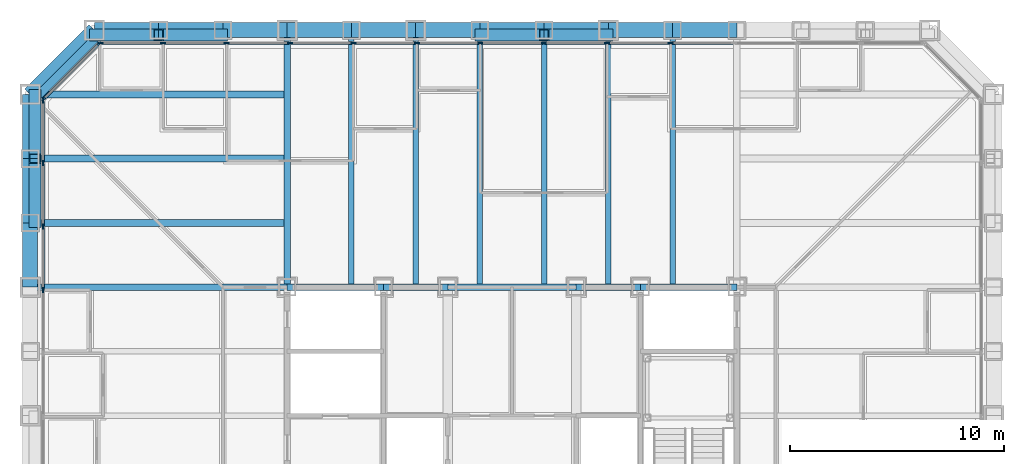
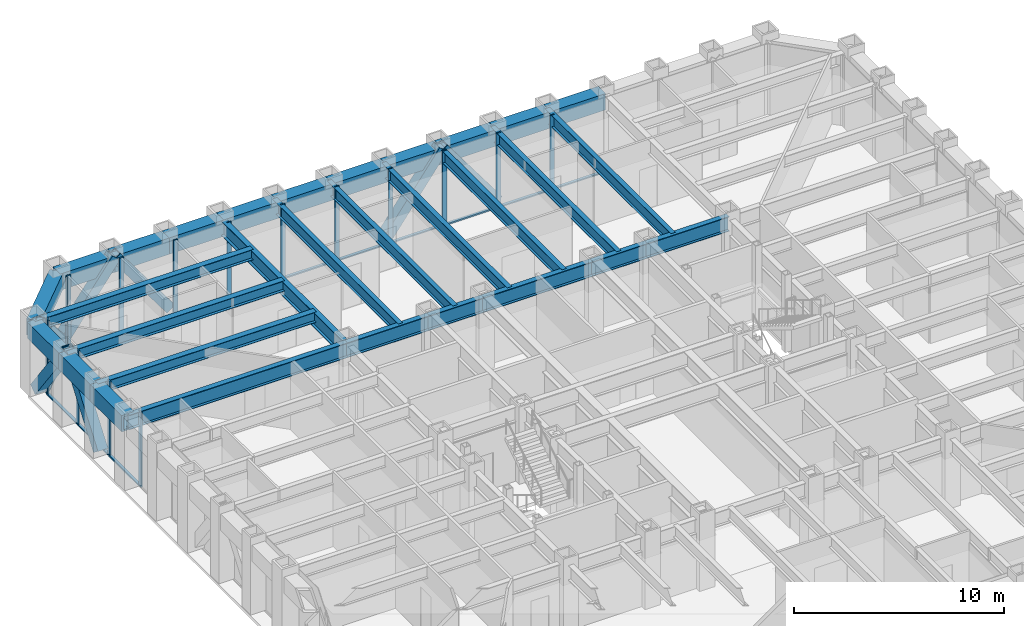
# One storey, part 5 of 17: 37 members, 30 beams, 3 elements without a shape of their own.
"""IFC4 building model written with IfcOpenShell, lengths in metres."""

import ifcopenshell
import ifcopenshell.guid

model = None  # the IFC model being written
_history = None  # IfcOwnerHistory: only IFC2X3 demands one
_inside = {}  # id of a spatial element -> (the spatial element, [elements in it])
_under = {}  # id of a project, library or spatial element -> (it, [spatial elements below it])
_declared = {}  # id of a project -> (the project, [libraries it declares])
_typed = {}  # id of a type object -> (the type object, [elements of that type])
_made_of = {}  # id of a material, layer set ... -> (it, [elements and type objects made of it])


def new_model(schema):
    """Start an empty IFC model of exactly this schema.

    Asked for "IFC4X3", IfcOpenShell would pick the latest addendum, in which some entities
    have other attributes; the version numbers below select the first issue.
    IFC2X3 requires an IfcOwnerHistory on every rooted entity: one is made here for all.
    """
    global model, _history
    if schema == "IFC4X3":
        model = ifcopenshell.file(schema_version=(4, 3, 0, 0))
    else:
        model = ifcopenshell.file(schema=schema)
    _inside.clear()
    _under.clear()
    _declared.clear()
    _typed.clear()
    _made_of.clear()
    _history = None
    if model.schema == "IFC2X3":
        org = make("IfcOrganization", Name="unknown")
        user = make(
            "IfcPersonAndOrganization",
            ThePerson=make("IfcPerson", FamilyName="unknown"),
            TheOrganization=org,
        )
        app = make(
            "IfcApplication",
            ApplicationDeveloper=org,
            Version="unknown",
            ApplicationFullName="unknown",
            ApplicationIdentifier="unknown",
        )
        _history = make(
            "IfcOwnerHistory",
            OwningUser=user,
            OwningApplication=app,
            ChangeAction="ADDED",
            CreationDate=0,
        )
    return model


def make(cls, **values):
    """One entity of the class cls with the attributes given. An attribute that is None is left unset."""
    return model.create_entity(
        cls, **{name: value for name, value in values.items() if value is not None}
    )


def rooted(cls, **values):
    """An entity with a GlobalId (a new one), such as an element, a storey or a relation."""
    return make(cls, GlobalId=ifcopenshell.guid.new(), OwnerHistory=_history, **values)


def si_unit(unit_type, name, prefix=None):
    """IfcSIUnit, for example si_unit("LENGTHUNIT", "METRE", prefix="MILLI")."""
    return make("IfcSIUnit", UnitType=unit_type, Prefix=prefix, Name=name)


def assignment(units):
    """IfcUnitAssignment: the units of a project."""
    return None if units is None else make("IfcUnitAssignment", Units=units)


def point(xyz):
    """IfcCartesianPoint."""
    return None if xyz is None else make("IfcCartesianPoint", Coordinates=xyz)


def direction(xyz):
    """IfcDirection."""
    return None if xyz is None else make("IfcDirection", DirectionRatios=xyz)


def frame(location, z_axis=None, x_axis=None):
    """IfcAxis2Placement3D, a coordinate frame: its origin and axes. An axis left out is left unset."""
    return make(
        "IfcAxis2Placement3D",
        Location=point(location),
        Axis=direction(z_axis),
        RefDirection=direction(x_axis),
    )


def frame_2d(location, x_axis=None):
    """IfcAxis2Placement2D, a coordinate frame in the plane: its origin and x axis."""
    return make(
        "IfcAxis2Placement2D", Location=point(location), RefDirection=direction(x_axis)
    )


def origin():
    """The frame at (0, 0, 0) with its axes left unset."""
    return frame((0.0, 0.0, 0.0))


def origin_2d():
    """The frame at (0, 0) in the plane with its x axis left unset."""
    return frame_2d((0.0, 0.0))


def place(relative_to, where):
    """IfcLocalPlacement: puts the frame where relative to a parent placement (None: the world)."""
    return make(
        "IfcLocalPlacement", PlacementRelTo=relative_to, RelativePlacement=where
    )


def context(
    kind, dimensions, precision=None, world=None, true_north=None, identifier=None
):
    """IfcGeometricRepresentationContext, for example the 3D "Model" context."""
    return make(
        "IfcGeometricRepresentationContext",
        ContextIdentifier=identifier,
        ContextType=kind,
        CoordinateSpaceDimension=dimensions,
        Precision=precision,
        WorldCoordinateSystem=world,
        TrueNorth=true_north,
    )


def subcontext(parent, identifier, kind, view, scale=None):
    """IfcGeometricRepresentationSubContext, for example "Body" below "Model"."""
    return make(
        "IfcGeometricRepresentationSubContext",
        ContextIdentifier=identifier,
        ContextType=kind,
        ParentContext=parent,
        TargetScale=scale,
        TargetView=view,
    )


def project(units=None, contexts=None):
    """IfcProject with its units and contexts."""
    return rooted(
        "IfcProject",
        Name="project",
        RepresentationContexts=contexts,
        UnitsInContext=assignment(units),
    )


def spatial(cls, under=None, at=None, **own):
    """A site, building, storey or space (cls), placed at a placement, below another one or the project."""
    s = rooted(cls, ObjectPlacement=at, **own)
    if under is not None:
        _under.setdefault(under.id(), (under, []))[1].append(s)
    return s


def profile(cls, at=None, kind="AREA", **sizes):
    """A parametric profile (cls). Its sizes go by their IFC names, for example OverallWidth=200.0."""
    return make(cls, ProfileType=kind, Position=at, **sizes)


def rectangle(**sizes):
    """IfcRectangleProfileDef."""
    return profile("IfcRectangleProfileDef", **sizes)


def hollow_rectangle(**sizes):
    """IfcRectangleHollowProfileDef."""
    return profile("IfcRectangleHollowProfileDef", **sizes)


def i_section(**sizes):
    """IfcIShapeProfileDef."""
    return profile("IfcIShapeProfileDef", **sizes)


def extrude(swept, where, along, depth):
    """IfcExtrudedAreaSolid: the profile swept, set in the frame where, extruded along a direction by depth."""
    return make(
        "IfcExtrudedAreaSolid",
        SweptArea=swept,
        Position=where,
        ExtrudedDirection=direction(along),
        Depth=depth,
    )


def shape(context_of_items, identifier, shape_type, items):
    """IfcShapeRepresentation: the items that make up one representation, for example the "Body"."""
    return make(
        "IfcShapeRepresentation",
        ContextOfItems=context_of_items,
        RepresentationIdentifier=identifier,
        RepresentationType=shape_type,
        Items=items,
    )


def material(Name=None, Category=None):
    """IfcMaterial."""
    return make("IfcMaterial", Name=Name, Category=Category)


def layer(
    of_material, thickness, ventilated=None, Name=None, Category=None, Priority=None
):
    """IfcMaterialLayer: one layer of a wall or slab, of a material (None: an air gap)."""
    return make(
        "IfcMaterialLayer",
        Material=of_material,
        LayerThickness=thickness,
        IsVentilated=ventilated,
        Name=Name,
        Category=Category,
        Priority=Priority,
    )


def layer_set(layers, Name=None):
    """IfcMaterialLayerSet."""
    return make("IfcMaterialLayerSet", MaterialLayers=layers, LayerSetName=Name)


def material_profile(
    of_material, cross_section, Name=None, Category=None, Priority=None
):
    """IfcMaterialProfile: a cross section and its material."""
    return make(
        "IfcMaterialProfile",
        Name=Name,
        Material=of_material,
        Profile=cross_section,
        Priority=Priority,
        Category=Category,
    )


def profile_set(profiles, Name=None, composite=None):
    """IfcMaterialProfileSet."""
    return make(
        "IfcMaterialProfileSet",
        Name=Name,
        MaterialProfiles=profiles,
        CompositeProfile=composite,
    )


def made_of(thing, what):
    """Note that an element or type object is made of a material, layer set ...; save() writes the relation."""
    if what is not None:
        _made_of.setdefault(what.id(), (what, []))[1].append(thing)
    return thing


def type_object(cls, material=None, **own):
    """A type object (cls), such as IfcWallType, which elements share."""
    return made_of(rooted(cls, **own), material)


def element(
    cls,
    number,
    at=None,
    inside=None,
    cuts=None,
    type_object=None,
    material=None,
    context=None,
    identifier="Body",
    shape_type=None,
    held_by="IfcProductDefinitionShape",
    body=None,
    shapes=None,
    **own,
):
    """One element of the class cls, such as IfcWall. Its Tag is "e" and its number.

    at: its placement. inside: the storey or other place that contains it. cuts: it is an
    opening in that element (IfcRelVoidsElement). A single representation is given by context,
    identifier, shape_type and body (its items); several are given by shapes. held_by: the class
    of the entity that holds the representations. save() writes the other relations.
    """
    e = rooted(cls, Tag="e%d" % number, ObjectPlacement=at, **own)
    if body is not None:
        shapes = [shape(context, identifier, shape_type, body)]
    if shapes is not None:
        e.Representation = make(held_by, Representations=shapes)
    if inside is not None:
        _inside.setdefault(inside.id(), (inside, []))[1].append(e)
    if cuts is not None:
        rooted(
            "IfcRelVoidsElement", RelatingBuildingElement=cuts, RelatedOpeningElement=e
        )
    if type_object is not None:
        _typed.setdefault(type_object.id(), (type_object, []))[1].append(e)
    return made_of(e, material)


def aggregate(whole, parts):
    """IfcRelAggregates: a whole, such as a stair, and the parts it consists of."""
    return rooted("IfcRelAggregates", RelatingObject=whole, RelatedObjects=parts)


def save(model, path):
    """Write the relations noted so far, then the file.

    IfcRelAggregates (storeys below a building ...), IfcRelContainedInSpatialStructure (elements
    in a storey), IfcRelDefinesByType, IfcRelAssociatesMaterial and IfcRelDeclares: one each for
    every whole, place, type object, material and project.
    """
    for whole, parts in _under.values():
        aggregate(whole, parts)
    for where, things in _inside.values():
        rooted(
            "IfcRelContainedInSpatialStructure",
            RelatedElements=things,
            RelatingStructure=where,
        )
    for kind, things in _typed.values():
        rooted("IfcRelDefinesByType", RelatedObjects=things, RelatingType=kind)
    for what, things in _made_of.values():
        rooted("IfcRelAssociatesMaterial", RelatedObjects=things, RelatingMaterial=what)
    for by, libraries in _declared.values():
        rooted("IfcRelDeclares", RelatingContext=by, RelatedDefinitions=libraries)
    model.write(path)


model = new_model("IFC4")

# Units and contexts
model_context = context("Model", 3, precision=1e-05, world=origin(), true_north=direction((0.0, 1.0)))
body_context = subcontext(model_context, "Body", "Model", "MODEL_VIEW")
ifc_project = project(units=[si_unit("LENGTHUNIT", "METRE"), si_unit("AREAUNIT", "SQUARE_METRE"), si_unit("VOLUMEUNIT", "CUBIC_METRE"), si_unit("PLANEANGLEUNIT", "RADIAN"), si_unit("MASSUNIT", "GRAM", prefix="KILO")], contexts=[model_context])

# Site, building, storey
site_placement = place(None, origin())
site = spatial("IfcSite", under=ifc_project, at=site_placement, CompositionType="ELEMENT")
building_placement = place(site_placement, origin())
building = spatial("IfcBuilding", under=site, at=building_placement, Name="Chuquiago Exchange Tower", CompositionType="ELEMENT")
storey_placement = place(building_placement, frame((0.0, 0.0, 87.300048828125)))
storey = spatial("IfcBuildingStorey", under=building, at=storey_placement, Name="L18", CompositionType="ELEMENT", Elevation=87.300048828125)

# Beams
ifc_material_1 = material(Name="Steel ASTM A992", Category="steel")
ifc_material_profile_1 = material_profile(ifc_material_1, i_section(OverallWidth=0.2919921875, OverallDepth=0.8583984375, WebThickness=0.01708984375, FlangeThickness=0.031005859375, at=origin_2d()), Name="W33X169")
ifc_profile_set_1 = profile_set([ifc_material_profile_1], Name="Steel ASTM A992")
beam_type_1 = type_object("IfcBeamType", Name="B3 W33X169", PredefinedType="BEAM", material=ifc_profile_set_1)
beam_1_placement = place(storey_placement, frame((12.0, 33.0, 3.610595703125), z_axis=(1.0, 0.0, 0.0), x_axis=(0.0, 1.0, 0.0)))
element("IfcBeam", 1, at=beam_1_placement, inside=storey, type_object=beam_type_1, Name="CB-L19-12_33-16.5_33", PredefinedType="BEAM", context=body_context, shape_type="SweptSolid", body=[
    extrude(i_section(OverallWidth=0.2919921875, OverallDepth=0.8583984375, WebThickness=0.01708984375, FlangeThickness=0.031005859375, at=origin_2d()), origin(), (0.0, 0.0, 1.0), 4.5),
])
beam_2_placement = place(storey_placement, frame((16.5, 33.0, 3.610595703125), z_axis=(1.0, 0.0, 0.0), x_axis=(0.0, 1.0, 0.0)))
element("IfcBeam", 2, at=beam_2_placement, inside=storey, type_object=beam_type_1, Name="CB-L19-16.5_33-19.5_33", PredefinedType="BEAM", context=body_context, shape_type="SweptSolid", body=[
    extrude(i_section(OverallWidth=0.2919921875, OverallDepth=0.8583984375, WebThickness=0.01708984375, FlangeThickness=0.031005859375, at=origin_2d()), origin(), (0.0, 0.0, 1.0), 3.0),
])
beam_3_placement = place(storey_placement, frame((19.5, 33.0, 3.610595703125), z_axis=(1.0, 0.0, 0.0), x_axis=(0.0, 1.0, 0.0)))
element("IfcBeam", 3, at=beam_3_placement, inside=storey, type_object=beam_type_1, Name="CB-L19-19.5_33-25.5_33", PredefinedType="BEAM", context=body_context, shape_type="SweptSolid", body=[
    extrude(i_section(OverallWidth=0.2919921875, OverallDepth=0.8583984375, WebThickness=0.01708984375, FlangeThickness=0.031005859375, at=origin_2d()), origin(), (0.0, 0.0, 1.0), 6.0),
])
beam_4_placement = place(storey_placement, frame((25.5, 33.0, 3.610595703125), z_axis=(1.0, 0.0, 0.0), x_axis=(0.0, 1.0, 0.0)))
element("IfcBeam", 4, at=beam_4_placement, inside=storey, type_object=beam_type_1, Name="CB-L19-25.5_33-28.5_33", PredefinedType="BEAM", context=body_context, shape_type="SweptSolid", body=[
    extrude(i_section(OverallWidth=0.2919921875, OverallDepth=0.8583984375, WebThickness=0.01708984375, FlangeThickness=0.031005859375, at=origin_2d()), origin(), (0.0, 0.0, 1.0), 3.0),
])
beam_5_placement = place(storey_placement, frame((28.5, 33.0, 3.610595703125), z_axis=(1.0, 0.0, 0.0), x_axis=(0.0, 1.0, 0.0)))
element("IfcBeam", 5, at=beam_5_placement, inside=storey, type_object=beam_type_1, Name="CB-L19-28.5_33-33_33", PredefinedType="BEAM", context=body_context, shape_type="SweptSolid", body=[
    extrude(i_section(OverallWidth=0.2919921875, OverallDepth=0.8583984375, WebThickness=0.01708984375, FlangeThickness=0.031005859375, at=origin_2d()), origin(), (0.0, 0.0, 1.0), 4.5),
])
ifc_material_2 = material(Name="Steel ASTM A992", Category="steel")
ifc_material_profile_2 = material_profile(ifc_material_2, i_section(OverallWidth=0.256591796875, OverallDepth=0.693359375, WebThickness=0.014404296875, FlangeThickness=0.023681640625, at=origin_2d()), Name="W27X114")
ifc_profile_set_2 = profile_set([ifc_material_profile_2], Name="Steel ASTM A992")
beam_type_2 = type_object("IfcBeamType", Name="B4 W27X114", PredefinedType="BEAM", material=ifc_profile_set_2)
for number, where, z_axis, x_axis, name in (
    (6, (15.0, 33.0, 3.693359375), (0.0, 1.0, 0.0), (-1.0, 0.0, 0.0), "FB-L19-infill-15_33-15_45-0"),
    (7, (18.0, 33.0, 3.693359375), (0.0, 1.0, 0.0), (-1.0, 0.0, 0.0), "FB-L19-infill-18_33-18_45-0"),
    (8, (21.0, 33.0, 3.693359375), (0.0, 1.0, 0.0), (-1.0, 0.0, 0.0), "FB-L19-infill-21_33-21_45-0"),
    (9, (24.0, 33.0, 3.693359375), (0.0, 1.0, 0.0), (-1.0, 0.0, 0.0), "FB-L19-infill-24_33-24_45-0"),
    (10, (27.0, 33.0, 3.693359375), (0.0, 1.0, 0.0), (-1.0, 0.0, 0.0), "FB-L19-infill-27_33-27_45-0"),
    (11, (30.0, 33.0, 3.693359375), (0.0, 1.0, 0.0), (-1.0, 0.0, 0.0), "FB-L19-infill-30_33-30_45-0"),
):
    element("IfcBeam", number, at=place(storey_placement, frame(where, z_axis=z_axis, x_axis=x_axis)), inside=storey, type_object=beam_type_2, Name=name, PredefinedType="BEAM", context=body_context, shape_type="SweptSolid", body=[
        extrude(i_section(OverallWidth=0.256591796875, OverallDepth=0.693359375, WebThickness=0.014404296875, FlangeThickness=0.023681640625, at=origin_2d()), origin(), (0.0, 0.0, 1.0), 12.0),
    ])
ifc_material_3 = material(Name="Steel ASTM A992", Category="steel")
ifc_material_profile_3 = material_profile(ifc_material_3, i_section(OverallWidth=0.3251953125, OverallDepth=0.6171875, WebThickness=0.013916015625, FlangeThickness=0.021484375, at=origin_2d()), Name="W24X117")
ifc_profile_set_3 = profile_set([ifc_material_profile_3], Name="Steel ASTM A992")
beam_type_3 = type_object("IfcBeamType", Name="B5 W24X117", PredefinedType="BEAM", material=ifc_profile_set_3)
for number, where, z_axis, x_axis, name in (
    (12, (12.0, 36.0, 3.7314453125), (-1.0, 0.0, 0.0), (0.0, -1.0, 0.0), "FB-L19-corner-12_36--0_36-0"),
    (13, (12.0, 39.0, 3.7314453125), (-1.0, 0.0, 0.0), (0.0, -1.0, 0.0), "FB-L19-corner-12_39--0_39-0"),
    (14, (12.0, 42.0, 3.7314453125), (-1.0, 0.0, 0.0), (0.0, -1.0, 0.0), "FB-L19-corner-12_42--0_42-0"),
):
    element("IfcBeam", number, at=place(storey_placement, frame(where, z_axis=z_axis, x_axis=x_axis)), inside=storey, type_object=beam_type_3, Name=name, PredefinedType="BEAM", context=body_context, shape_type="SweptSolid", body=[
        extrude(i_section(OverallWidth=0.3251953125, OverallDepth=0.6171875, WebThickness=0.013916015625, FlangeThickness=0.021484375, at=origin_2d()), origin(), (0.0, 0.0, 1.0), 12.0),
    ])

# Curtain wall, members
ifc_material_4 = material(Name="Aluminium curtain wall system", Category="aluminium")
ifc_layer_1 = layer(ifc_material_4, 0.25)
ifc_layer_set_1 = layer_set([ifc_layer_1], Name="CW1 trading floor curtain wall")
curtain_wall_type_1 = type_object("IfcCurtainWallType", Name="CW1 trading floor curtain wall", PredefinedType="NOTDEFINED", material=ifc_layer_set_1)
curtain_wall_1_placement = place(storey_placement, origin())
curtain_wall_1 = element("IfcCurtainWall", 15, at=curtain_wall_1_placement, inside=storey, type_object=curtain_wall_type_1, Name="CW1 curtain wall L18", PredefinedType="NOTDEFINED")
ifc_material_5 = material(Name="Aluminium mullion, pale anodised", Category="aluminium")
ifc_material_profile_4 = material_profile(ifc_material_5, rectangle(XDim=0.074951171875, YDim=0.25, at=origin_2d()), Name="AL 75x250")
ifc_profile_set_4 = profile_set([ifc_material_profile_4], Name="Aluminium mullion, pale anodised")
member_type_1 = type_object("IfcMemberType", Name="CW1-M mullion 75x250", PredefinedType="MULLION", material=ifc_profile_set_4)
member_1_placement = place(storey_placement, frame((29.904541015625, 44.39990234375, -0.300048828125), z_axis=(0.0, 0.0, 1.0), x_axis=(0.0, -1.0, 0.0)))
member_1 = element("IfcMember", 16, at=member_1_placement, type_object=member_type_1, Name="CW1 mullion 5", PredefinedType="MULLION", context=body_context, shape_type="SweptSolid", body=[
    extrude(rectangle(XDim=0.074951171875, YDim=0.25, at=origin_2d()), origin(), (0.0, 0.0, 1.0), 4.340087890625),
])
member_2_placement = place(storey_placement, frame((26.942626953125, 44.39990234375, -0.300048828125), z_axis=(0.0, 0.0, 1.0), x_axis=(0.0, -1.0, 0.0)))
member_2 = element("IfcMember", 17, at=member_2_placement, type_object=member_type_1, Name="CW1 mullion 6", PredefinedType="MULLION", context=body_context, shape_type="SweptSolid", body=[
    extrude(rectangle(XDim=0.074951171875, YDim=0.25, at=origin_2d()), origin(), (0.0, 0.0, 1.0), 4.340087890625),
])
member_3_placement = place(storey_placement, frame((23.98095703125, 44.39990234375, -0.300048828125), z_axis=(0.0, 0.0, 1.0), x_axis=(0.0, -1.0, 0.0)))
member_3 = element("IfcMember", 18, at=member_3_placement, type_object=member_type_1, Name="CW1 mullion 7", PredefinedType="MULLION", context=body_context, shape_type="SweptSolid", body=[
    extrude(rectangle(XDim=0.074951171875, YDim=0.25, at=origin_2d()), origin(), (0.0, 0.0, 1.0), 4.340087890625),
])
member_4_placement = place(storey_placement, frame((21.01904296875, 44.39990234375, -0.300048828125), z_axis=(0.0, 0.0, 1.0), x_axis=(0.0, -1.0, 0.0)))
member_4 = element("IfcMember", 19, at=member_4_placement, type_object=member_type_1, Name="CW1 mullion 8", PredefinedType="MULLION", context=body_context, shape_type="SweptSolid", body=[
    extrude(rectangle(XDim=0.074951171875, YDim=0.25, at=origin_2d()), origin(), (0.0, 0.0, 1.0), 4.340087890625),
])
member_5_placement = place(storey_placement, frame((18.057373046875, 44.39990234375, -0.300048828125), z_axis=(0.0, 0.0, 1.0), x_axis=(0.0, -1.0, 0.0)))
member_5 = element("IfcMember", 20, at=member_5_placement, type_object=member_type_1, Name="CW1 mullion 9", PredefinedType="MULLION", context=body_context, shape_type="SweptSolid", body=[
    extrude(rectangle(XDim=0.074951171875, YDim=0.25, at=origin_2d()), origin(), (0.0, 0.0, 1.0), 4.340087890625),
])
member_6_placement = place(storey_placement, frame((15.095458984375, 44.39990234375, -0.300048828125), z_axis=(0.0, 0.0, 1.0), x_axis=(0.0, -1.0, 0.0)))
member_6 = element("IfcMember", 21, at=member_6_placement, type_object=member_type_1, Name="CW1 mullion 10", PredefinedType="MULLION", context=body_context, shape_type="SweptSolid", body=[
    extrude(rectangle(XDim=0.074951171875, YDim=0.25, at=origin_2d()), origin(), (0.0, 0.0, 1.0), 4.340087890625),
])
member_7_placement = place(storey_placement, frame((12.1337890625, 44.39990234375, -0.300048828125), z_axis=(0.0, 0.0, 1.0), x_axis=(0.0, -1.0, 0.0)))
member_7 = element("IfcMember", 22, at=member_7_placement, type_object=member_type_1, Name="CW1 mullion 11", PredefinedType="MULLION", context=body_context, shape_type="SweptSolid", body=[
    extrude(rectangle(XDim=0.074951171875, YDim=0.25, at=origin_2d()), origin(), (0.0, 0.0, 1.0), 4.340087890625),
])
member_8_placement = place(storey_placement, frame((9.172119140625, 44.39990234375, -0.300048828125), z_axis=(0.0, 0.0, 1.0), x_axis=(0.0, -1.0, 0.0)))
member_8 = element("IfcMember", 23, at=member_8_placement, type_object=member_type_1, Name="CW1 mullion 12", PredefinedType="MULLION", context=body_context, shape_type="SweptSolid", body=[
    extrude(rectangle(XDim=0.074951171875, YDim=0.25, at=origin_2d()), origin(), (0.0, 0.0, 1.0), 4.340087890625),
])
member_9_placement = place(storey_placement, frame((6.210205078125, 44.39990234375, -0.300048828125), z_axis=(0.0, 0.0, 1.0), x_axis=(0.0, -1.0, 0.0)))
member_9 = element("IfcMember", 24, at=member_9_placement, type_object=member_type_1, Name="CW1 mullion 13", PredefinedType="MULLION", context=body_context, shape_type="SweptSolid", body=[
    extrude(rectangle(XDim=0.074951171875, YDim=0.25, at=origin_2d()), origin(), (0.0, 0.0, 1.0), 4.340087890625),
])
member_10_placement = place(storey_placement, frame((3.285888671875, 44.39990234375, -0.300048828125), z_axis=(0.0, 0.0, 1.0), x_axis=(0.0, -1.0, 0.0)))
member_10 = element("IfcMember", 25, at=member_10_placement, type_object=member_type_1, Name="CW1 mullion 14", PredefinedType="MULLION", context=body_context, shape_type="SweptSolid", body=[
    extrude(rectangle(XDim=0.074951171875, YDim=0.25, at=origin_2d()), origin(), (0.0, 0.0, 1.0), 4.340087890625),
])

curtain_wall_2_placement = place(storey_placement, origin())
curtain_wall_2 = element("IfcCurtainWall", 26, at=curtain_wall_2_placement, inside=storey, type_object=curtain_wall_type_1, Name="CW1 curtain wall L18", PredefinedType="NOTDEFINED")
member_11_placement = place(storey_placement, frame((0.60009765625, 41.714111328125, -0.300048828125), z_axis=(0.0, 0.0, 1.0), x_axis=(1.0, 0.0, 0.0)))
member_11 = element("IfcMember", 27, at=member_11_placement, type_object=member_type_1, Name="CW1 mullion 1", PredefinedType="MULLION", context=body_context, shape_type="SweptSolid", body=[
    extrude(rectangle(XDim=0.074951171875, YDim=0.25, at=origin_2d()), origin(), (0.0, 0.0, 1.0), 4.340087890625),
])
member_12_placement = place(storey_placement, frame((0.60009765625, 38.789794921875, -0.300048828125), z_axis=(0.0, 0.0, 1.0), x_axis=(1.0, 0.0, 0.0)))
member_12 = element("IfcMember", 28, at=member_12_placement, type_object=member_type_1, Name="CW1 mullion 2", PredefinedType="MULLION", context=body_context, shape_type="SweptSolid", body=[
    extrude(rectangle(XDim=0.074951171875, YDim=0.25, at=origin_2d()), origin(), (0.0, 0.0, 1.0), 4.340087890625),
])
member_13_placement = place(storey_placement, frame((0.60009765625, 35.827880859375, -0.300048828125), z_axis=(0.0, 0.0, 1.0), x_axis=(1.0, 0.0, 0.0)))
member_13 = element("IfcMember", 29, at=member_13_placement, type_object=member_type_1, Name="CW1 mullion 3", PredefinedType="MULLION", context=body_context, shape_type="SweptSolid", body=[
    extrude(rectangle(XDim=0.074951171875, YDim=0.25, at=origin_2d()), origin(), (0.0, 0.0, 1.0), 4.340087890625),
])
member_14_placement = place(storey_placement, frame((0.60009765625, 32.8662109375, -0.300048828125), z_axis=(0.0, 0.0, 1.0), x_axis=(1.0, 0.0, 0.0)))
member_14 = element("IfcMember", 30, at=member_14_placement, type_object=member_type_1, Name="CW1 mullion 4", PredefinedType="MULLION", context=body_context, shape_type="SweptSolid", body=[
    extrude(rectangle(XDim=0.074951171875, YDim=0.25, at=origin_2d()), origin(), (0.0, 0.0, 1.0), 4.340087890625),
])

# Member
ifc_material_6 = material(Name="Aluminium transom, pale anodised", Category="aluminium")
ifc_material_profile_5 = material_profile(ifc_material_6, rectangle(XDim=0.14990234375, YDim=0.074951171875, at=origin_2d()), Name="AL 150x75")
ifc_profile_set_5 = profile_set([ifc_material_profile_5], Name="Aluminium transom, pale anodised")
member_type_2 = type_object("IfcMemberType", Name="CW1-T transom 75x150", PredefinedType="MULLION", material=ifc_profile_set_5)
member_15_placement = place(storey_placement, frame((32.82861328125, 44.39990234375, -0.262451171875), z_axis=(-1.0, 0.0, 0.0), x_axis=(0.0, -1.0, 0.0)))
member_15 = element("IfcMember", 31, at=member_15_placement, type_object=member_type_2, Name="CW1 transom 4.1", PredefinedType="MULLION", context=body_context, shape_type="SweptSolid", body=[
    extrude(rectangle(XDim=0.14990234375, YDim=0.074951171875, at=origin_2d()), origin(), (0.0, 0.0, 1.0), 2.88671875),
])

member_16_placement = place(storey_placement, frame((29.866943359375, 44.39990234375, -0.262451171875), z_axis=(-1.0, 0.0, 0.0), x_axis=(0.0, -1.0, 0.0)))
member_16 = element("IfcMember", 32, at=member_16_placement, type_object=member_type_2, Name="CW1 transom 5.1", PredefinedType="MULLION", context=body_context, shape_type="SweptSolid", body=[
    extrude(rectangle(XDim=0.14990234375, YDim=0.074951171875, at=origin_2d()), origin(), (0.0, 0.0, 1.0), 2.88671875),
])

member_17_placement = place(storey_placement, frame((26.9052734375, 44.39990234375, -0.262451171875), z_axis=(-1.0, 0.0, 0.0), x_axis=(0.0, -1.0, 0.0)))
member_17 = element("IfcMember", 33, at=member_17_placement, type_object=member_type_2, Name="CW1 transom 6.1", PredefinedType="MULLION", context=body_context, shape_type="SweptSolid", body=[
    extrude(rectangle(XDim=0.14990234375, YDim=0.074951171875, at=origin_2d()), origin(), (0.0, 0.0, 1.0), 2.886962890625),
])

member_18_placement = place(storey_placement, frame((23.943359375, 44.39990234375, -0.262451171875), z_axis=(-1.0, 0.0, 0.0), x_axis=(0.0, -1.0, 0.0)))
member_18 = element("IfcMember", 34, at=member_18_placement, type_object=member_type_2, Name="CW1 transom 7.1", PredefinedType="MULLION", context=body_context, shape_type="SweptSolid", body=[
    extrude(rectangle(XDim=0.14990234375, YDim=0.074951171875, at=origin_2d()), origin(), (0.0, 0.0, 1.0), 2.88671875),
])

member_19_placement = place(storey_placement, frame((20.981689453125, 44.39990234375, -0.262451171875), z_axis=(-1.0, 0.0, 0.0), x_axis=(0.0, -1.0, 0.0)))
member_19 = element("IfcMember", 35, at=member_19_placement, type_object=member_type_2, Name="CW1 transom 8.1", PredefinedType="MULLION", context=body_context, shape_type="SweptSolid", body=[
    extrude(rectangle(XDim=0.14990234375, YDim=0.074951171875, at=origin_2d()), origin(), (0.0, 0.0, 1.0), 2.886962890625),
])

member_20_placement = place(storey_placement, frame((18.019775390625, 44.39990234375, -0.262451171875), z_axis=(-1.0, 0.0, 0.0), x_axis=(0.0, -1.0, 0.0)))
member_20 = element("IfcMember", 36, at=member_20_placement, type_object=member_type_2, Name="CW1 transom 9.1", PredefinedType="MULLION", context=body_context, shape_type="SweptSolid", body=[
    extrude(rectangle(XDim=0.14990234375, YDim=0.074951171875, at=origin_2d()), origin(), (0.0, 0.0, 1.0), 2.88671875),
])

member_21_placement = place(storey_placement, frame((15.05810546875, 44.39990234375, -0.262451171875), z_axis=(-1.0, 0.0, 0.0), x_axis=(0.0, -1.0, 0.0)))
member_21 = element("IfcMember", 37, at=member_21_placement, type_object=member_type_2, Name="CW1 transom 10.1", PredefinedType="MULLION", context=body_context, shape_type="SweptSolid", body=[
    extrude(rectangle(XDim=0.14990234375, YDim=0.074951171875, at=origin_2d()), origin(), (0.0, 0.0, 1.0), 2.88671875),
])

member_22_placement = place(storey_placement, frame((12.09619140625, 44.39990234375, -0.262451171875), z_axis=(-1.0, 0.0, 0.0), x_axis=(0.0, -1.0, 0.0)))
member_22 = element("IfcMember", 38, at=member_22_placement, type_object=member_type_2, Name="CW1 transom 11.1", PredefinedType="MULLION", context=body_context, shape_type="SweptSolid", body=[
    extrude(rectangle(XDim=0.14990234375, YDim=0.074951171875, at=origin_2d()), origin(), (0.0, 0.0, 1.0), 2.88671875),
])

member_23_placement = place(storey_placement, frame((9.134521484375, 44.39990234375, -0.262451171875), z_axis=(-1.0, 0.0, 0.0), x_axis=(0.0, -1.0, 0.0)))
member_23 = element("IfcMember", 39, at=member_23_placement, type_object=member_type_2, Name="CW1 transom 12.1", PredefinedType="MULLION", context=body_context, shape_type="SweptSolid", body=[
    extrude(rectangle(XDim=0.14990234375, YDim=0.074951171875, at=origin_2d()), origin(), (0.0, 0.0, 1.0), 2.88671875),
])

member_24_placement = place(storey_placement, frame((6.1728515625, 44.39990234375, -0.262451171875), z_axis=(-1.0, 0.0, 0.0), x_axis=(0.0, -1.0, 0.0)))
member_24 = element("IfcMember", 40, at=member_24_placement, type_object=member_type_2, Name="CW1 transom 13.1", PredefinedType="MULLION", context=body_context, shape_type="SweptSolid", body=[
    extrude(rectangle(XDim=0.14990234375, YDim=0.074951171875, at=origin_2d()), origin(), (0.0, 0.0, 1.0), 2.849365234375),
])

aggregate(curtain_wall_1, [member_1, member_2, member_3, member_4, member_5, member_6, member_7, member_8, member_9, member_10, member_15, member_16, member_17, member_18, member_19, member_20, member_21, member_22, member_23, member_24])

member_25_placement = place(storey_placement, frame((0.60009765625, 41.676513671875, -0.262451171875), z_axis=(0.0, -1.0, 0.0), x_axis=(1.0, 0.0, 0.0)))
member_25 = element("IfcMember", 41, at=member_25_placement, type_object=member_type_2, Name="CW1 transom 1.1", PredefinedType="MULLION", context=body_context, shape_type="SweptSolid", body=[
    extrude(rectangle(XDim=0.14990234375, YDim=0.074951171875, at=origin_2d()), origin(), (0.0, 0.0, 1.0), 2.849365234375),
])

member_26_placement = place(storey_placement, frame((0.60009765625, 38.752197265625, -0.262451171875), z_axis=(0.0, -1.0, 0.0), x_axis=(1.0, 0.0, 0.0)))
member_26 = element("IfcMember", 42, at=member_26_placement, type_object=member_type_2, Name="CW1 transom 2.1", PredefinedType="MULLION", context=body_context, shape_type="SweptSolid", body=[
    extrude(rectangle(XDim=0.14990234375, YDim=0.074951171875, at=origin_2d()), origin(), (0.0, 0.0, 1.0), 2.88671875),
])

member_27_placement = place(storey_placement, frame((0.60009765625, 35.79052734375, -0.262451171875), z_axis=(0.0, -1.0, 0.0), x_axis=(1.0, 0.0, 0.0)))
member_27 = element("IfcMember", 43, at=member_27_placement, type_object=member_type_2, Name="CW1 transom 3.1", PredefinedType="MULLION", context=body_context, shape_type="SweptSolid", body=[
    extrude(rectangle(XDim=0.14990234375, YDim=0.074951171875, at=origin_2d()), origin(), (0.0, 0.0, 1.0), 2.88671875),
])

aggregate(curtain_wall_2, [member_11, member_12, member_13, member_14, member_25, member_26, member_27])

# Curtain wall, members
ifc_material_7 = material(Name="Aluminium curtain wall system", Category="aluminium")
ifc_layer_2 = layer(ifc_material_7, 0.199951171875)
ifc_layer_set_2 = layer_set([ifc_layer_2], Name="CW3 facet curtain wall")
curtain_wall_type_2 = type_object("IfcCurtainWallType", Name="CW3 facet curtain wall", PredefinedType="NOTDEFINED", material=ifc_layer_set_2)
curtain_wall_3_placement = place(storey_placement, origin())
curtain_wall_3 = element("IfcCurtainWall", 44, at=curtain_wall_3_placement, inside=storey, type_object=curtain_wall_type_2, Name="CW3 curtain wall L18", PredefinedType="NOTDEFINED")
ifc_material_8 = material(Name="Aluminium mullion, pale anodised", Category="aluminium")
ifc_material_profile_6 = material_profile(ifc_material_8, rectangle(XDim=0.06494140625, YDim=0.199951171875, at=origin_2d()), Name="AL 65x200")
ifc_profile_set_6 = profile_set([ifc_material_profile_6], Name="Aluminium mullion, pale anodised")
member_type_3 = type_object("IfcMemberType", Name="CW3-M mullion 65x200", PredefinedType="MULLION", material=ifc_profile_set_6)
member_28_placement = place(storey_placement, frame((3.2255859375, 44.376953125, -0.300048828125), z_axis=(0.0, 0.0, 1.0), x_axis=(0.707106781187, -0.707106781187, 0.0)))
member_28 = element("IfcMember", 45, at=member_28_placement, type_object=member_type_3, Name="CW3 mullion 1", PredefinedType="MULLION", context=body_context, shape_type="SweptSolid", body=[
    extrude(rectangle(XDim=0.06494140625, YDim=0.199951171875, at=origin_2d()), origin(), (0.0, 0.0, 1.0), 4.340087890625),
])
member_29_placement = place(storey_placement, frame((0.623046875, 41.7744140625, -0.300048828125), z_axis=(0.0, 0.0, 1.0), x_axis=(0.707106781187, -0.707106781187, 0.0)))
member_29 = element("IfcMember", 46, at=member_29_placement, type_object=member_type_3, Name="CW3 mullion 2", PredefinedType="MULLION", context=body_context, shape_type="SweptSolid", body=[
    extrude(rectangle(XDim=0.06494140625, YDim=0.199951171875, at=origin_2d()), origin(), (0.0, 0.0, 1.0), 4.340087890625),
])
ifc_material_9 = material(Name="Aluminium transom, pale anodised", Category="aluminium")
ifc_material_profile_7 = material_profile(ifc_material_9, rectangle(XDim=0.139892578125, YDim=0.06494140625, at=origin_2d()), Name="AL 140x65")
ifc_profile_set_7 = profile_set([ifc_material_profile_7], Name="Aluminium transom, pale anodised")
member_type_4 = type_object("IfcMemberType", Name="CW3-T transom 65x140", PredefinedType="MULLION", material=ifc_profile_set_7)
member_30_placement = place(storey_placement, frame((3.20263671875, 44.35400390625, -0.267578125), z_axis=(-0.707106781187, -0.707106781187, 0.0), x_axis=(0.707106781187, -0.707106781187, 0.0)))
member_30 = element("IfcMember", 47, at=member_30_placement, type_object=member_type_4, Name="CW3 transom 1.1", PredefinedType="MULLION", context=body_context, shape_type="SweptSolid", body=[
    extrude(rectangle(XDim=0.139892578125, YDim=0.06494140625, at=origin_2d()), origin(), (0.0, 0.0, 1.0), 3.61572265625),
])
aggregate(curtain_wall_3, [member_28, member_29, member_30])

# Beams
ifc_material_10 = material(Name="Steel ASTM A992", Category="steel")
ifc_material_profile_8 = material_profile(ifc_material_10, i_section(OverallWidth=0.2919921875, OverallDepth=0.8583984375, WebThickness=0.01708984375, FlangeThickness=0.031005859375, at=origin_2d()), Name="W33X169")
ifc_profile_set_8 = profile_set([ifc_material_profile_8], Name="Steel ASTM A992")
beam_type_4 = type_object("IfcBeamType", Name="G2 W33X169", PredefinedType="BEAM", material=ifc_profile_set_8)
for number, where, z_axis, x_axis, name in (
    (48, (12.0, 33.0, 3.610595703125), (0.0, 1.0, 0.0), (-1.0, 0.0, 0.0), "FB-L19-girder-12_33-12_45-0"),
    (49, (12.0, 33.0, 3.610595703125), (-1.0, 0.0, 0.0), (0.0, -1.0, 0.0), "FB-L19-girder-12_33--0_33-0"),
):
    element("IfcBeam", number, at=place(storey_placement, frame(where, z_axis=z_axis, x_axis=x_axis)), inside=storey, type_object=beam_type_4, Name=name, PredefinedType="BEAM", context=body_context, shape_type="SweptSolid", body=[
        extrude(i_section(OverallWidth=0.2919921875, OverallDepth=0.8583984375, WebThickness=0.01708984375, FlangeThickness=0.031005859375, at=origin_2d()), origin(), (0.0, 0.0, 1.0), 12.0),
    ])

# Members
ifc_material_11 = material(Name="Steel ASTM A500 Grade C", Category="steel")
ifc_material_profile_9 = material_profile(ifc_material_11, hollow_rectangle(XDim=0.406494140625, YDim=0.406494140625, WallThickness=0.0146484375, at=origin_2d()), Name="HSS16X16X5/8")
ifc_profile_set_9 = profile_set([ifc_material_profile_9], Name="Steel ASTM A500 Grade C")
member_type_5 = type_object("IfcMemberType", Name="LB4 HSS16X16X5/8", PredefinedType="BRACE", material=ifc_profile_set_9)
member_31_placement = place(storey_placement, frame((3.21337890625, 44.78662109375, 0.0), z_axis=(-0.512077265487, -0.512077265487, 0.689604051861), x_axis=(0.707106781187, -0.707106781187, 0.0)))
element("IfcMember", 50, at=member_31_placement, inside=storey, type_object=member_type_5, Name="LB-L18-3_45-0_42", PredefinedType="BRACE", context=body_context, shape_type="SweptSolid", body=[
    extrude(hollow_rectangle(XDim=0.406494140625, YDim=0.406494140625, WallThickness=0.0146484375, at=origin_2d()), origin(), (0.0, 0.0, 1.0), 5.8583984375),
])
ifc_material_12 = material(Name="Steel ASTM A572 Grade 50", Category="steel")
ifc_material_profile_10 = material_profile(ifc_material_12, hollow_rectangle(XDim=0.550048828125, YDim=0.550048828125, WallThickness=0.044921875, at=origin_2d()), Name="BOX550X550X45")
ifc_profile_set_10 = profile_set([ifc_material_profile_10], Name="Steel ASTM A572 Grade 50")
member_type_6 = type_object("IfcMemberType", Name="MB1 BOX550X550X45", PredefinedType="BRACE", material=ifc_profile_set_10)
for number, where, z_axis, x_axis, name in (
    (51, (27.0, 44.77001953125, 0.0), (-0.596173923302, 0.0, 0.802855312728), (0.0, -1.0, 0.0), "Mega diagonal L18 N face"),
    (52, (21.0, 44.77001953125, 0.0), (0.596173923302, 0.0, 0.802855312728), (0.0, 1.0, 0.0), "Mega diagonal L18 N face"),
    (53, (9.0, 44.77001953125, 0.0), (-0.596173923302, 0.0, 0.802855312728), (0.0, -1.0, 0.0), "Mega diagonal L18 N face"),
    (54, (3.0, 44.77001953125, 0.0), (0.596173923302, 0.0, 0.802855312728), (0.0, 1.0, 0.0), "Mega diagonal L18 N face"),
    (55, (0.22998046875, 42.0, 0.0), (0.0, -0.596173923302, 0.802855312728), (1.0, 0.0, 0.0), "Mega diagonal L18 W face"),
    (56, (0.22998046875, 36.0, 0.0), (0.0, 0.596173923302, 0.802855312728), (-1.0, 0.0, 0.0), "Mega diagonal L18 W face"),
):
    element("IfcMember", number, at=place(storey_placement, frame(where, z_axis=z_axis, x_axis=x_axis)), inside=storey, type_object=member_type_6, Name=name, PredefinedType="BRACE", context=body_context, shape_type="SweptSolid", body=[
        extrude(hollow_rectangle(XDim=0.550048828125, YDim=0.550048828125, WallThickness=0.044921875, at=origin_2d()), origin(), (0.0, 0.0, 1.0), 5.031982421875),
    ])

# Beams
ifc_material_13 = material(Name="Steel ASTM A572 Grade 50", Category="steel")
ifc_material_profile_11 = material_profile(ifc_material_13, hollow_rectangle(XDim=0.699951171875, YDim=0.949951171875, WallThickness=0.10009765625, at=origin_2d()), Name="BOX950X700X100")
ifc_profile_set_11 = profile_set([ifc_material_profile_11], Name="Steel ASTM A572 Grade 50")
beam_type_5 = type_object("IfcBeamType", Name="SP5 BOX950X700X100", PredefinedType="SPANDREL", material=ifc_profile_set_11)
for number, where, z_axis, x_axis, name in (
    (57, (33.0, 45.0, 3.56494140625), (-1.0, 0.0, 0.0), (0.0, -1.0, 0.0), "SPB-L19-33_45-30_45"),
    (58, (30.0, 45.0, 3.56494140625), (-1.0, 0.0, 0.0), (0.0, -1.0, 0.0), "SPB-L19-30_45-27_45"),
    (59, (27.0, 45.0, 3.56494140625), (-1.0, 0.0, 0.0), (0.0, -1.0, 0.0), "SPB-L19-27_45-24_45"),
    (60, (24.0, 45.0, 3.56494140625), (-1.0, 0.0, 0.0), (0.0, -1.0, 0.0), "SPB-L19-24_45-21_45"),
    (61, (21.0, 45.0, 3.56494140625), (-1.0, 0.0, 0.0), (0.0, -1.0, 0.0), "SPB-L19-21_45-18_45"),
    (62, (18.0, 45.0, 3.56494140625), (-1.0, 0.0, 0.0), (0.0, -1.0, 0.0), "SPB-L19-18_45-15_45"),
    (63, (15.0, 45.0, 3.56494140625), (-1.0, 0.0, 0.0), (0.0, -1.0, 0.0), "SPB-L19-15_45-12_45"),
    (64, (12.0, 45.0, 3.56494140625), (-1.0, 0.0, 0.0), (0.0, -1.0, 0.0), "SPB-L19-12_45-9_45"),
    (65, (9.0, 45.0, 3.56494140625), (-1.0, 0.0, 0.0), (0.0, -1.0, 0.0), "SPB-L19-9_45-6_45"),
    (66, (6.0, 45.0, 3.56494140625), (-1.0, 0.0, 0.0), (0.0, -1.0, 0.0), "SPB-L19-6_45-3_45"),
):
    element("IfcBeam", number, at=place(storey_placement, frame(where, z_axis=z_axis, x_axis=x_axis)), inside=storey, type_object=beam_type_5, Name=name, PredefinedType="SPANDREL", context=body_context, shape_type="SweptSolid", body=[
        extrude(hollow_rectangle(XDim=0.699951171875, YDim=0.949951171875, WallThickness=0.10009765625, at=origin_2d()), origin(), (0.0, 0.0, 1.0), 3.0),
    ])
beam_6_placement = place(storey_placement, frame((3.0, 45.0, 3.56494140625), z_axis=(-0.707106781187, -0.707106781187, 0.0), x_axis=(0.707106781187, -0.707106781187, 0.0)))
element("IfcBeam", 67, at=beam_6_placement, inside=storey, type_object=beam_type_5, Name="SPB-L19-3_45-0_42", PredefinedType="SPANDREL", context=body_context, shape_type="SweptSolid", body=[
    extrude(hollow_rectangle(XDim=0.699951171875, YDim=0.949951171875, WallThickness=0.10009765625, at=origin_2d()), origin(), (0.0, 0.0, 1.0), 4.24267578125),
])
for number, where, z_axis, x_axis, name in (
    (68, (0.0, 42.0, 3.56494140625), (0.0, -1.0, 0.0), (1.0, 0.0, 0.0), "SPB-L19-0_42-0_39"),
    (69, (0.0, 39.0, 3.56494140625), (0.0, -1.0, 0.0), (1.0, 0.0, 0.0), "SPB-L19-0_39-0_36"),
    (70, (0.0, 36.0, 3.56494140625), (0.0, -1.0, 0.0), (1.0, 0.0, 0.0), "SPB-L19-0_36-0_33"),
):
    element("IfcBeam", number, at=place(storey_placement, frame(where, z_axis=z_axis, x_axis=x_axis)), inside=storey, type_object=beam_type_5, Name=name, PredefinedType="SPANDREL", context=body_context, shape_type="SweptSolid", body=[
        extrude(hollow_rectangle(XDim=0.699951171875, YDim=0.949951171875, WallThickness=0.10009765625, at=origin_2d()), origin(), (0.0, 0.0, 1.0), 3.0),
    ])

save(model, "model.ifc")
